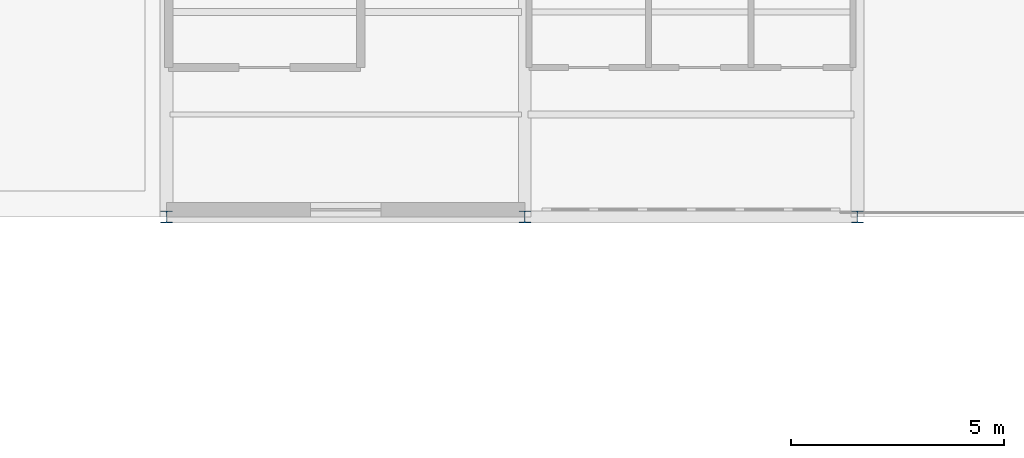
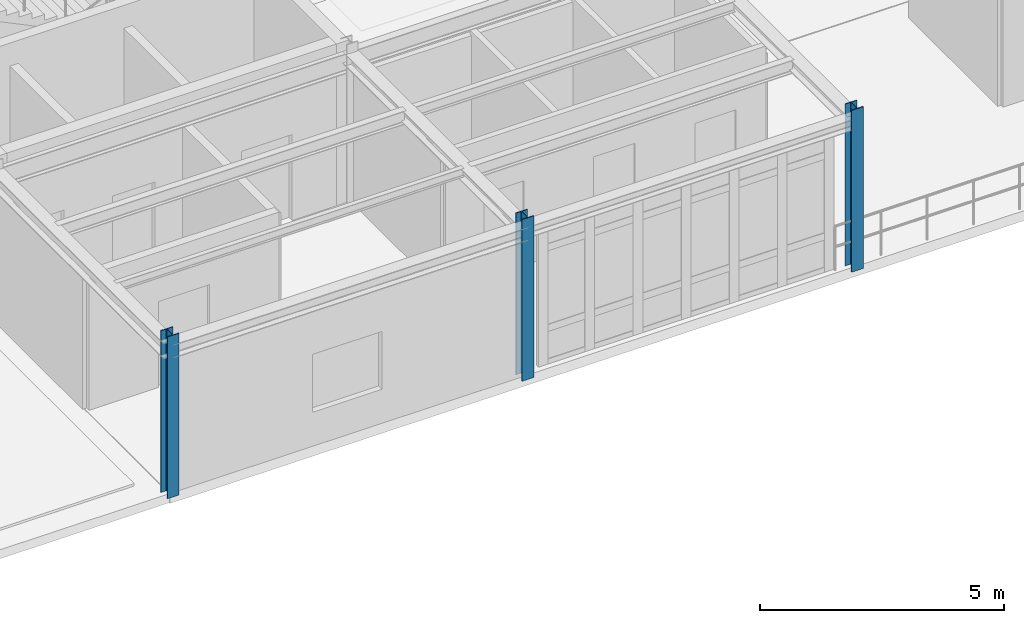
# One storey, part 1 of 20: 3 columns.
"""IFC4 building model written with IfcOpenShell, lengths in metres."""

from ifc_helpers import new_model, si_unit, derived_unit, direction, frame, origin, origin_2d, place, context, subcontext, project, spatial, i_section, extrude, material, material_profile, profile_set, type_object, element, save


model = new_model("IFC4")

# Units and contexts
model_context = context("Model", 3, precision=1e-05, world=origin(), true_north=direction((0.0, 1.0)))
body_context = subcontext(model_context, "Body", "Model", "MODEL_VIEW")
ifc_project = project(units=[si_unit("LENGTHUNIT", "METRE"), si_unit("AREAUNIT", "SQUARE_METRE"), si_unit("VOLUMEUNIT", "CUBIC_METRE"), si_unit("PLANEANGLEUNIT", "RADIAN"), si_unit("MASSUNIT", "GRAM", prefix="KILO"), derived_unit("THERMALTRANSMITTANCEUNIT", [(si_unit("POWERUNIT", "WATT"), 1), (si_unit("AREAUNIT", "SQUARE_METRE"), -1), (si_unit("THERMODYNAMICTEMPERATUREUNIT", "KELVIN"), -1)])], contexts=[model_context])

# Site, building, storey
site_placement = place(None, origin())
site = spatial("IfcSite", under=ifc_project, at=site_placement, CompositionType="ELEMENT")
building_placement = place(site_placement, origin())
building = spatial("IfcBuilding", under=site, at=building_placement, Name="Yasenodar Specialist Clinic", CompositionType="ELEMENT")
storey_placement = place(building_placement, frame((0.0, 0.0, 25.35009765625)))
storey = spatial("IfcBuildingStorey", under=building, at=storey_placement, Name="L06", CompositionType="ELEMENT", Elevation=25.35009765625)

# Columns
ifc_material = material(Name="Steel S355", Category="steel")
ifc_material_profile = material_profile(ifc_material, i_section(OverallWidth=0.280029296875, OverallDepth=0.280029296875, WebThickness=0.010498046875, FlangeThickness=0.01806640625, FilletRadius=0.02392578125, at=origin_2d()), Name="HEB 280")
ifc_profile_set = profile_set([ifc_material_profile], Name="Steel S355")
column_type = type_object("IfcColumnType", Name="COL-ST-HEB280", PredefinedType="COLUMN", material=ifc_profile_set)
for number, where, z_axis, x_axis, name in (
    (1, (57.0, 97.199951171875, 0.0), (0.0, 0.0, 1.0), (1.0, 0.0, 0.0), "L06 Column V5-090"),
    (2, (65.39990234375, 97.199951171875, 0.0), (0.0, 0.0, 1.0), (1.0, 0.0, 0.0), "L06 Column V5-095"),
    (3, (73.199951171875, 97.199951171875, 0.0), (0.0, 0.0, 1.0), (1.0, 0.0, 0.0), "L06 Column V5-100"),
):
    element("IfcColumn", number, at=place(storey_placement, frame(where, z_axis=z_axis, x_axis=x_axis)), inside=storey, type_object=column_type, Name=name, PredefinedType="COLUMN", context=body_context, shape_type="SweptSolid", body=[
        extrude(i_section(OverallWidth=0.280029296875, OverallDepth=0.280029296875, WebThickness=0.010498046875, FlangeThickness=0.01806640625, FilletRadius=0.02392578125, at=origin_2d()), origin(), (0.0, 0.0, 1.0), 4.0498046875),
    ])

save(model, "model.ifc")
